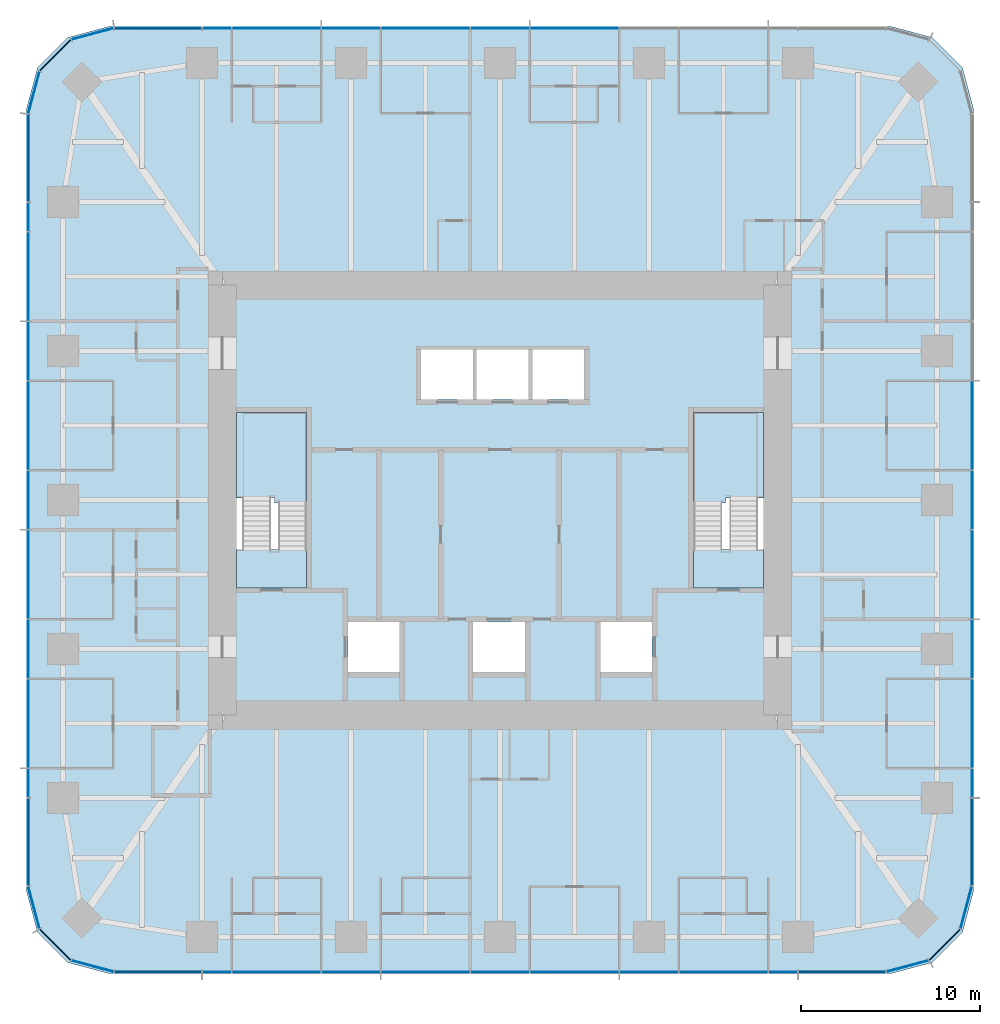
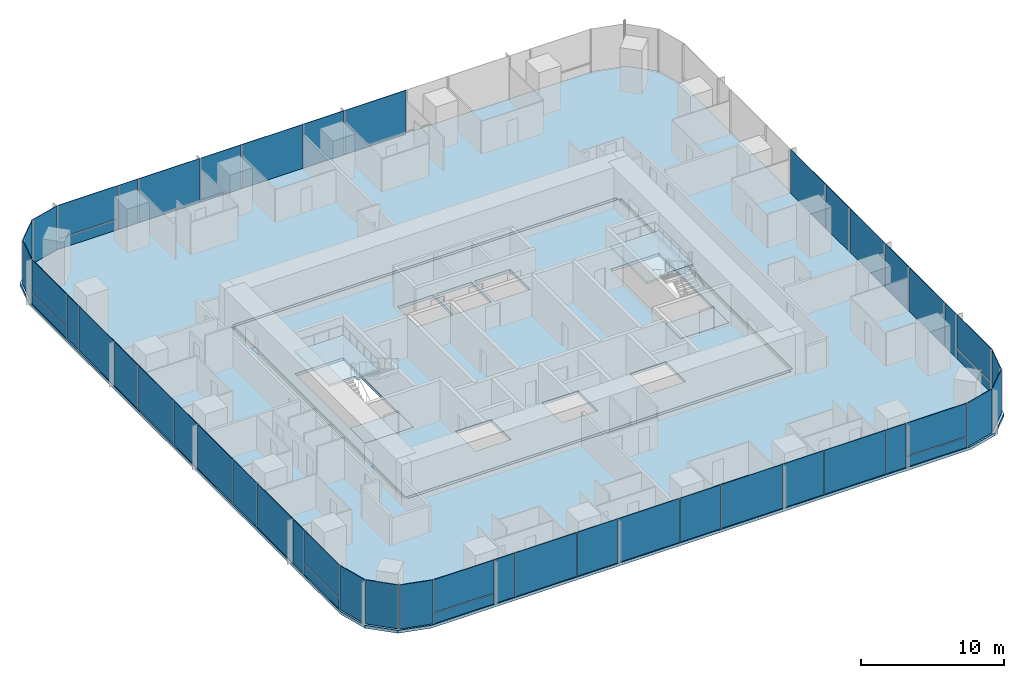
# One storey, part 7 of 12: 51 plates, 6 slabs, 9 elements without a shape of their own.
"""IFC4 building model written with IfcOpenShell, lengths in metres."""

from ifc_helpers import new_model, si_unit, direction, frame, origin, origin_2d, place, context, subcontext, project, spatial, polyline, rectangle, outline, extrude, material, layer, layer_set, type_object, element, aggregate, save


model = new_model("IFC4")

# Units and contexts
model_context = context("Model", 3, precision=1e-05, world=origin(), true_north=direction((0.0, 1.0)))
body_context = subcontext(model_context, "Body", "Model", "MODEL_VIEW")
ifc_project = project(units=[si_unit("LENGTHUNIT", "METRE"), si_unit("AREAUNIT", "SQUARE_METRE"), si_unit("VOLUMEUNIT", "CUBIC_METRE"), si_unit("PLANEANGLEUNIT", "RADIAN"), si_unit("MASSUNIT", "GRAM", prefix="KILO")], contexts=[model_context])

# Site, building, storey
site_placement = place(None, origin())
site = spatial("IfcSite", under=ifc_project, at=site_placement, CompositionType="ELEMENT")
building_placement = place(site_placement, origin())
building = spatial("IfcBuilding", under=site, at=building_placement, Name="Khuree Lantern Residences", CompositionType="ELEMENT")
storey_placement = place(building_placement, frame((0.0, 0.0, 214.5)))
storey = spatial("IfcBuildingStorey", under=building, at=storey_placement, Name="L53", CompositionType="ELEMENT", Elevation=214.5)

# Slab
ifc_material_1 = material(Name="Concrete C35/45", Category="concrete")
ifc_layer_1 = layer(ifc_material_1, 0.25)
ifc_layer_set_1 = layer_set([ifc_layer_1], Name="CFL250 CORE FLOOR SLAB 250")
slab_type_1 = type_object("IfcSlabType", Name="CFL250 CORE FLOOR SLAB 250", PredefinedType="FLOOR", material=ifc_layer_set_1)
slab_1_placement = place(storey_placement, frame((0.0, 0.0, -0.25)))
element("IfcSlab", 1, at=slab_1_placement, inside=storey, type_object=slab_type_1, Name="Core floor L53", PredefinedType="FLOOR", context=body_context, shape_type="SweptSolid", body=[
    extrude(outline(polyline([(-15.5, -12.0), (-15.5, 12.0), (15.5, 12.0), (15.5, -12.0), (-15.5, -12.0)]), holes=[polyline([(10.800048828125, 4.89990234375), (10.800048828125, -4.89990234375), (14.699951171875, -4.89990234375), (14.699951171875, 4.89990234375), (10.800048828125, 4.89990234375)]), polyline([(5.60009765625, -6.800048828125), (5.60009765625, -9.60009765625), (8.5, -9.60009765625), (8.5, -6.800048828125), (5.60009765625, -6.800048828125)]), polyline([(1.800048828125, 8.39990234375), (1.800048828125, 5.60009765625), (4.699951171875, 5.60009765625), (4.699951171875, 8.39990234375), (1.800048828125, 8.39990234375)]), polyline([(-1.300048828125, 8.39990234375), (-1.300048828125, 5.60009765625), (1.60009765625, 5.60009765625), (1.60009765625, 8.39990234375), (-1.300048828125, 8.39990234375)]), polyline([(-1.5, -6.800048828125), (-1.5, -9.60009765625), (1.39990234375, -9.60009765625), (1.39990234375, -6.800048828125), (-1.5, -6.800048828125)]), polyline([(-4.39990234375, 8.39990234375), (-4.39990234375, 5.60009765625), (-1.5, 5.60009765625), (-1.5, 8.39990234375), (-4.39990234375, 8.39990234375)]), polyline([(-8.5, -6.800048828125), (-8.5, -9.60009765625), (-5.60009765625, -9.60009765625), (-5.60009765625, -6.800048828125), (-8.5, -6.800048828125)]), polyline([(-14.699951171875, 4.89990234375), (-14.699951171875, -4.89990234375), (-10.800048828125, -4.89990234375), (-10.800048828125, 4.89990234375), (-14.699951171875, 4.89990234375)])]), origin(), (0.0, 0.0, 1.0), 0.25),
])

# Curtain wall, plates
ifc_material_2 = material(Name="Bronze anodised aluminium", Category="aluminium")
curtain_wall_type_1 = type_object("IfcCurtainWallType", Name="CW-T2 TOWER CORNER CURTAIN WALL", PredefinedType="USERDEFINED", material=ifc_material_2)
curtain_wall_1_placement = place(storey_placement, origin())
curtain_wall_1 = element("IfcCurtainWall", 2, at=curtain_wall_1_placement, inside=storey, type_object=curtain_wall_type_1, Name="L53 SOUTH-EAST CORNER CURTAIN WALL", ObjectType="Faceted corner curtain wall", PredefinedType="USERDEFINED")
ifc_material_3 = material(Name="Bronze tinted triple glazing", Category="glass")
ifc_layer_2 = layer(ifc_material_3, 0.048095703125)
ifc_layer_set_2 = layer_set([ifc_layer_2], Name="FACET PANEL P4")
plate_type_1 = type_object("IfcPlateType", Name="FACET PANEL P4", PredefinedType="CURTAIN_PANEL", material=ifc_layer_set_2)
plate_1_placement = place(storey_placement, frame((22.748046875, -26.029052734375, 0.0), z_axis=(0.0, 0.0, 1.0), x_axis=(0.965925832509, 0.258819021888, 0.0)))
plate_1 = element("IfcPlate", 3, at=plate_1_placement, type_object=plate_type_1, Name="L53 SOUTH-EAST CORNER PANEL 1.1", PredefinedType="CURTAIN_PANEL", context=body_context, shape_type="SweptSolid", body=[
    extrude(rectangle(XDim=2.40869140625, YDim=0.048095703125, at=origin_2d()), origin(), (0.0, 0.0, 1.0), 3.75),
])
plate_2_placement = place(storey_placement, frame((24.828369140625, -24.828369140625, 0.0), z_axis=(0.0, 0.0, 1.0), x_axis=(0.707106781187, 0.707106781187, 0.0)))
plate_2 = element("IfcPlate", 4, at=plate_2_placement, type_object=plate_type_1, Name="L53 SOUTH-EAST CORNER PANEL 2.1", PredefinedType="CURTAIN_PANEL", context=body_context, shape_type="SweptSolid", body=[
    extrude(rectangle(XDim=2.404541015625, YDim=0.048095703125, at=origin_2d()), origin(), (0.0, 0.0, 1.0), 3.75),
])
plate_3_placement = place(storey_placement, frame((26.029052734375, -22.748046875, 0.0), z_axis=(0.0, 0.0, 1.0), x_axis=(0.258819021888, 0.965925832509, 0.0)))
plate_3 = element("IfcPlate", 5, at=plate_3_placement, type_object=plate_type_1, Name="L53 SOUTH-EAST CORNER PANEL 3.1", PredefinedType="CURTAIN_PANEL", context=body_context, shape_type="SweptSolid", body=[
    extrude(rectangle(XDim=2.40869140625, YDim=0.048095703125, at=origin_2d()), origin(), (0.0, 0.0, 1.0), 3.75),
])
aggregate(curtain_wall_1, [plate_1, plate_2, plate_3])

curtain_wall_2_placement = place(storey_placement, origin())
curtain_wall_2 = element("IfcCurtainWall", 6, at=curtain_wall_2_placement, inside=storey, type_object=curtain_wall_type_1, Name="L53 NORTH-WEST CORNER CURTAIN WALL", ObjectType="Faceted corner curtain wall", PredefinedType="USERDEFINED")
plate_4_placement = place(storey_placement, frame((-22.748046875, 26.029052734375, 0.0), z_axis=(0.0, 0.0, 1.0), x_axis=(-0.965925832509, -0.258819021888, 0.0)))
plate_4 = element("IfcPlate", 7, at=plate_4_placement, type_object=plate_type_1, Name="L53 NORTH-WEST CORNER PANEL 29.1", PredefinedType="CURTAIN_PANEL", context=body_context, shape_type="SweptSolid", body=[
    extrude(rectangle(XDim=2.40869140625, YDim=0.048095703125, at=origin_2d()), origin(), (0.0, 0.0, 1.0), 3.75),
])
plate_5_placement = place(storey_placement, frame((-24.828369140625, 24.828369140625, 0.0), z_axis=(0.0, 0.0, 1.0), x_axis=(-0.707106781187, -0.707106781187, 0.0)))
plate_5 = element("IfcPlate", 8, at=plate_5_placement, type_object=plate_type_1, Name="L53 NORTH-WEST CORNER PANEL 30.1", PredefinedType="CURTAIN_PANEL", context=body_context, shape_type="SweptSolid", body=[
    extrude(rectangle(XDim=2.404541015625, YDim=0.048095703125, at=origin_2d()), origin(), (0.0, 0.0, 1.0), 3.75),
])
plate_6_placement = place(storey_placement, frame((-26.029052734375, 22.748046875, 0.0), z_axis=(0.0, 0.0, 1.0), x_axis=(-0.258819021888, -0.965925832509, 0.0)))
plate_6 = element("IfcPlate", 9, at=plate_6_placement, type_object=plate_type_1, Name="L53 NORTH-WEST CORNER PANEL 31.1", PredefinedType="CURTAIN_PANEL", context=body_context, shape_type="SweptSolid", body=[
    extrude(rectangle(XDim=2.40869140625, YDim=0.048095703125, at=origin_2d()), origin(), (0.0, 0.0, 1.0), 3.75),
])
aggregate(curtain_wall_2, [plate_4, plate_5, plate_6])

curtain_wall_3_placement = place(storey_placement, origin())
curtain_wall_3 = element("IfcCurtainWall", 10, at=curtain_wall_3_placement, inside=storey, type_object=curtain_wall_type_1, Name="L53 SOUTH-WEST CORNER CURTAIN WALL", ObjectType="Faceted corner curtain wall", PredefinedType="USERDEFINED")
plate_7_placement = place(storey_placement, frame((-26.029052734375, -22.748046875, 0.0), z_axis=(0.0, 0.0, 1.0), x_axis=(0.258819021888, -0.965925832509, 0.0)))
plate_7 = element("IfcPlate", 11, at=plate_7_placement, type_object=plate_type_1, Name="L53 SOUTH-WEST CORNER PANEL 43.1", PredefinedType="CURTAIN_PANEL", context=body_context, shape_type="SweptSolid", body=[
    extrude(rectangle(XDim=2.40869140625, YDim=0.048095703125, at=origin_2d()), origin(), (0.0, 0.0, 1.0), 3.75),
])
plate_8_placement = place(storey_placement, frame((-24.828369140625, -24.828369140625, 0.0), z_axis=(0.0, 0.0, 1.0), x_axis=(0.707106781187, -0.707106781187, 0.0)))
plate_8 = element("IfcPlate", 12, at=plate_8_placement, type_object=plate_type_1, Name="L53 SOUTH-WEST CORNER PANEL 44.1", PredefinedType="CURTAIN_PANEL", context=body_context, shape_type="SweptSolid", body=[
    extrude(rectangle(XDim=2.404541015625, YDim=0.048095703125, at=origin_2d()), origin(), (0.0, 0.0, 1.0), 3.75),
])
plate_9_placement = place(storey_placement, frame((-22.748046875, -26.029052734375, 0.0), z_axis=(0.0, 0.0, 1.0), x_axis=(0.965925832509, -0.258819021888, 0.0)))
plate_9 = element("IfcPlate", 13, at=plate_9_placement, type_object=plate_type_1, Name="L53 SOUTH-WEST CORNER PANEL 45.1", PredefinedType="CURTAIN_PANEL", context=body_context, shape_type="SweptSolid", body=[
    extrude(rectangle(XDim=2.40869140625, YDim=0.048095703125, at=origin_2d()), origin(), (0.0, 0.0, 1.0), 3.75),
])
aggregate(curtain_wall_3, [plate_7, plate_8, plate_9])

curtain_wall_type_2 = type_object("IfcCurtainWallType", Name="CW-T1 TOWER FACE CURTAIN WALL", PredefinedType="USERDEFINED", material=ifc_material_2)
curtain_wall_4_placement = place(storey_placement, origin())
curtain_wall_4 = element("IfcCurtainWall", 14, at=curtain_wall_4_placement, inside=storey, type_object=curtain_wall_type_2, Name="L53 EAST FACE CURTAIN WALL", ObjectType="Stick-built curtain wall", PredefinedType="USERDEFINED")
ifc_material_4 = material(Name="Bronze tinted triple glazing with a ceramic-fritted spandrel band", Category="glass")
ifc_layer_3 = layer(ifc_material_4, 0.048095703125)
ifc_layer_set_3 = layer_set([ifc_layer_3], Name="FIXED LIGHT PANEL P11")
plate_type_2 = type_object("IfcPlateType", Name="FIXED LIGHT PANEL P11", PredefinedType="CURTAIN_PANEL", material=ifc_layer_set_3)
plate_10_placement = place(storey_placement, frame((26.35009765625, -12.47998046875, 0.0), z_axis=(0.0, 0.0, 1.0), x_axis=(0.0, 1.0, 0.0)))
plate_10 = element("IfcPlate", 15, at=plate_10_placement, type_object=plate_type_2, Name="L53 EAST FACE PANEL 6.1", PredefinedType="CURTAIN_PANEL", context=body_context, shape_type="SweptSolid", body=[
    extrude(rectangle(XDim=4.927001953125, YDim=0.048095703125, at=origin_2d()), origin(), (0.0, 0.0, 1.0), 3.75),
])
plate_11_placement = place(storey_placement, frame((26.35009765625, -4.159912109375, 0.0), z_axis=(0.0, 0.0, 1.0), x_axis=(0.0, 1.0, 0.0)))
plate_11 = element("IfcPlate", 16, at=plate_11_placement, type_object=plate_type_2, Name="L53 EAST FACE PANEL 8.1", PredefinedType="CURTAIN_PANEL", context=body_context, shape_type="SweptSolid", body=[
    extrude(rectangle(XDim=4.927001953125, YDim=0.048095703125, at=origin_2d()), origin(), (0.0, 0.0, 1.0), 3.75),
])
plate_12_placement = place(storey_placement, frame((26.35009765625, 4.159912109375, 0.0), z_axis=(0.0, 0.0, 1.0), x_axis=(0.0, 1.0, 0.0)))
plate_12 = element("IfcPlate", 17, at=plate_12_placement, type_object=plate_type_2, Name="L53 EAST FACE PANEL 10.1", PredefinedType="CURTAIN_PANEL", context=body_context, shape_type="SweptSolid", body=[
    extrude(rectangle(XDim=4.927001953125, YDim=0.048095703125, at=origin_2d()), origin(), (0.0, 0.0, 1.0), 3.75),
])

curtain_wall_5_placement = place(storey_placement, origin())
curtain_wall_5 = element("IfcCurtainWall", 18, at=curtain_wall_5_placement, inside=storey, type_object=curtain_wall_type_2, Name="L53 NORTH FACE CURTAIN WALL", ObjectType="Stick-built curtain wall", PredefinedType="USERDEFINED")
plate_13_placement = place(storey_placement, frame((4.159912109375, 26.35009765625, 0.0), z_axis=(0.0, 0.0, 1.0), x_axis=(-1.0, 0.0, 0.0)))
plate_13 = element("IfcPlate", 19, at=plate_13_placement, type_object=plate_type_2, Name="L53 NORTH FACE PANEL 22.1", PredefinedType="CURTAIN_PANEL", context=body_context, shape_type="SweptSolid", body=[
    extrude(rectangle(XDim=4.927001953125, YDim=0.048095703125, at=origin_2d()), origin(), (0.0, 0.0, 1.0), 3.75),
])
plate_14_placement = place(storey_placement, frame((-4.159912109375, 26.35009765625, 0.0), z_axis=(0.0, 0.0, 1.0), x_axis=(-1.0, 0.0, 0.0)))
plate_14 = element("IfcPlate", 20, at=plate_14_placement, type_object=plate_type_2, Name="L53 NORTH FACE PANEL 24.1", PredefinedType="CURTAIN_PANEL", context=body_context, shape_type="SweptSolid", body=[
    extrude(rectangle(XDim=4.927001953125, YDim=0.048095703125, at=origin_2d()), origin(), (0.0, 0.0, 1.0), 3.75),
])
plate_15_placement = place(storey_placement, frame((-12.47998046875, 26.35009765625, 0.0), z_axis=(0.0, 0.0, 1.0), x_axis=(-1.0, 0.0, 0.0)))
plate_15 = element("IfcPlate", 21, at=plate_15_placement, type_object=plate_type_2, Name="L53 NORTH FACE PANEL 26.1", PredefinedType="CURTAIN_PANEL", context=body_context, shape_type="SweptSolid", body=[
    extrude(rectangle(XDim=4.927001953125, YDim=0.048095703125, at=origin_2d()), origin(), (0.0, 0.0, 1.0), 3.75),
])

curtain_wall_6_placement = place(storey_placement, origin())
curtain_wall_6 = element("IfcCurtainWall", 22, at=curtain_wall_6_placement, inside=storey, type_object=curtain_wall_type_2, Name="L53 WEST FACE CURTAIN WALL", ObjectType="Stick-built curtain wall", PredefinedType="USERDEFINED")
plate_16_placement = place(storey_placement, frame((-26.35009765625, 12.47998046875, 0.0), z_axis=(0.0, 0.0, 1.0), x_axis=(0.0, -1.0, 0.0)))
plate_16 = element("IfcPlate", 23, at=plate_16_placement, type_object=plate_type_2, Name="L53 WEST FACE PANEL 34.1", PredefinedType="CURTAIN_PANEL", context=body_context, shape_type="SweptSolid", body=[
    extrude(rectangle(XDim=4.927001953125, YDim=0.048095703125, at=origin_2d()), origin(), (0.0, 0.0, 1.0), 3.75),
])
plate_17_placement = place(storey_placement, frame((-26.35009765625, 4.159912109375, 0.0), z_axis=(0.0, 0.0, 1.0), x_axis=(0.0, -1.0, 0.0)))
plate_17 = element("IfcPlate", 24, at=plate_17_placement, type_object=plate_type_2, Name="L53 WEST FACE PANEL 36.1", PredefinedType="CURTAIN_PANEL", context=body_context, shape_type="SweptSolid", body=[
    extrude(rectangle(XDim=4.927001953125, YDim=0.048095703125, at=origin_2d()), origin(), (0.0, 0.0, 1.0), 3.75),
])
plate_18_placement = place(storey_placement, frame((-26.35009765625, -4.159912109375, 0.0), z_axis=(0.0, 0.0, 1.0), x_axis=(0.0, -1.0, 0.0)))
plate_18 = element("IfcPlate", 25, at=plate_18_placement, type_object=plate_type_2, Name="L53 WEST FACE PANEL 38.1", PredefinedType="CURTAIN_PANEL", context=body_context, shape_type="SweptSolid", body=[
    extrude(rectangle(XDim=4.927001953125, YDim=0.048095703125, at=origin_2d()), origin(), (0.0, 0.0, 1.0), 3.75),
])
plate_19_placement = place(storey_placement, frame((-26.35009765625, -12.47998046875, 0.0), z_axis=(0.0, 0.0, 1.0), x_axis=(0.0, -1.0, 0.0)))
plate_19 = element("IfcPlate", 26, at=plate_19_placement, type_object=plate_type_2, Name="L53 WEST FACE PANEL 40.1", PredefinedType="CURTAIN_PANEL", context=body_context, shape_type="SweptSolid", body=[
    extrude(rectangle(XDim=4.927001953125, YDim=0.048095703125, at=origin_2d()), origin(), (0.0, 0.0, 1.0), 3.75),
])

curtain_wall_7_placement = place(storey_placement, origin())
curtain_wall_7 = element("IfcCurtainWall", 27, at=curtain_wall_7_placement, inside=storey, type_object=curtain_wall_type_2, Name="L53 SOUTH FACE CURTAIN WALL", ObjectType="Stick-built curtain wall", PredefinedType="USERDEFINED")
plate_20_placement = place(storey_placement, frame((-12.47998046875, -26.35009765625, 0.0), z_axis=(0.0, 0.0, 1.0), x_axis=(1.0, 0.0, 0.0)))
plate_20 = element("IfcPlate", 28, at=plate_20_placement, type_object=plate_type_2, Name="L53 SOUTH FACE PANEL 48.1", PredefinedType="CURTAIN_PANEL", context=body_context, shape_type="SweptSolid", body=[
    extrude(rectangle(XDim=4.927001953125, YDim=0.048095703125, at=origin_2d()), origin(), (0.0, 0.0, 1.0), 3.75),
])
plate_21_placement = place(storey_placement, frame((-4.159912109375, -26.35009765625, 0.0), z_axis=(0.0, 0.0, 1.0), x_axis=(1.0, 0.0, 0.0)))
plate_21 = element("IfcPlate", 29, at=plate_21_placement, type_object=plate_type_2, Name="L53 SOUTH FACE PANEL 50.1", PredefinedType="CURTAIN_PANEL", context=body_context, shape_type="SweptSolid", body=[
    extrude(rectangle(XDim=4.927001953125, YDim=0.048095703125, at=origin_2d()), origin(), (0.0, 0.0, 1.0), 3.75),
])
plate_22_placement = place(storey_placement, frame((4.159912109375, -26.35009765625, 0.0), z_axis=(0.0, 0.0, 1.0), x_axis=(1.0, 0.0, 0.0)))
plate_22 = element("IfcPlate", 30, at=plate_22_placement, type_object=plate_type_2, Name="L53 SOUTH FACE PANEL 52.1", PredefinedType="CURTAIN_PANEL", context=body_context, shape_type="SweptSolid", body=[
    extrude(rectangle(XDim=4.927001953125, YDim=0.048095703125, at=origin_2d()), origin(), (0.0, 0.0, 1.0), 3.75),
])
plate_23_placement = place(storey_placement, frame((12.47998046875, -26.35009765625, 0.0), z_axis=(0.0, 0.0, 1.0), x_axis=(1.0, 0.0, 0.0)))
plate_23 = element("IfcPlate", 31, at=plate_23_placement, type_object=plate_type_2, Name="L53 SOUTH FACE PANEL 54.1", PredefinedType="CURTAIN_PANEL", context=body_context, shape_type="SweptSolid", body=[
    extrude(rectangle(XDim=4.927001953125, YDim=0.048095703125, at=origin_2d()), origin(), (0.0, 0.0, 1.0), 3.75),
])

# Slab
ifc_layer_4 = layer(ifc_material_1, 0.25)
ifc_layer_set_4 = layer_set([ifc_layer_4], Name="FS250 FLOOR SLAB 250")
slab_type_2 = type_object("IfcSlabType", Name="FS250 FLOOR SLAB 250", PredefinedType="FLOOR", material=ifc_layer_set_4)
slab_2_placement = place(storey_placement, frame((0.0, 0.0, -0.25)))
element("IfcSlab", 32, at=slab_2_placement, inside=storey, type_object=slab_type_2, Name="Floor slab L53", PredefinedType="FLOOR", context=body_context, shape_type="SweptSolid", body=[
    extrude(outline(polyline([(-24.125, -25.826904296875), (-25.826904296875, -24.125), (-26.449951171875, -21.800048828125), (-26.449951171875, 21.800048828125), (-25.826904296875, 24.125), (-24.125, 25.826904296875), (-21.800048828125, 26.449951171875), (21.800048828125, 26.449951171875), (24.125, 25.826904296875), (25.826904296875, 24.125), (26.449951171875, 21.800048828125), (26.449951171875, -21.800048828125), (25.826904296875, -24.125), (24.125, -25.826904296875), (21.800048828125, -26.449951171875), (-21.800048828125, -26.449951171875), (-24.125, -25.826904296875)]), holes=[polyline([(15.75, 12.0), (15.5, 12.0), (15.5, 12.25), (-15.5, 12.25), (-15.5, 12.0), (-15.75, 12.0), (-15.75, -12.0), (-15.5, -12.0), (-15.5, -12.25), (15.5, -12.25), (15.5, -12.0), (15.75, -12.0), (15.75, 12.0)])]), origin(), (0.0, 0.0, 1.0), 0.25),
])

# Plate
ifc_material_5 = material(Name="Bronze tinted triple glazing, two aluminium-framed sashes in one frame", Category="aluminium")
ifc_layer_5 = layer(ifc_material_5, 0.048095703125)
ifc_layer_set_5 = layer_set([ifc_layer_5], Name="SASH PAIR PANEL P12")
plate_type_3 = type_object("IfcPlateType", Name="SASH PAIR PANEL P12", PredefinedType="CURTAIN_PANEL", material=ifc_layer_set_5)
plate_24_placement = place(storey_placement, frame((26.35009765625, -8.320068359375, 0.0), z_axis=(0.0, 0.0, 1.0), x_axis=(0.0, 1.0, 0.0)))
plate_24 = element("IfcPlate", 33, at=plate_24_placement, type_object=plate_type_3, Name="L53 EAST FACE PANEL 7.1", PredefinedType="CURTAIN_PANEL", context=body_context, shape_type="SweptSolid", body=[
    extrude(rectangle(XDim=3.262939453125, YDim=0.048095703125, at=origin_2d()), origin(), (0.0, 0.0, 1.0), 3.75),
])

plate_25_placement = place(storey_placement, frame((26.35009765625, 0.0, 0.0), z_axis=(0.0, 0.0, 1.0), x_axis=(0.0, 1.0, 0.0)))
plate_25 = element("IfcPlate", 34, at=plate_25_placement, type_object=plate_type_3, Name="L53 EAST FACE PANEL 9.1", PredefinedType="CURTAIN_PANEL", context=body_context, shape_type="SweptSolid", body=[
    extrude(rectangle(XDim=3.262939453125, YDim=0.048095703125, at=origin_2d()), origin(), (0.0, 0.0, 1.0), 3.75),
])

plate_26_placement = place(storey_placement, frame((0.0, 26.35009765625, 0.0), z_axis=(0.0, 0.0, 1.0), x_axis=(-1.0, 0.0, 0.0)))
plate_26 = element("IfcPlate", 35, at=plate_26_placement, type_object=plate_type_3, Name="L53 NORTH FACE PANEL 23.1", PredefinedType="CURTAIN_PANEL", context=body_context, shape_type="SweptSolid", body=[
    extrude(rectangle(XDim=3.262939453125, YDim=0.048095703125, at=origin_2d()), origin(), (0.0, 0.0, 1.0), 3.75),
])

plate_27_placement = place(storey_placement, frame((-8.320068359375, 26.35009765625, 0.0), z_axis=(0.0, 0.0, 1.0), x_axis=(-1.0, 0.0, 0.0)))
plate_27 = element("IfcPlate", 36, at=plate_27_placement, type_object=plate_type_3, Name="L53 NORTH FACE PANEL 25.1", PredefinedType="CURTAIN_PANEL", context=body_context, shape_type="SweptSolid", body=[
    extrude(rectangle(XDim=3.262939453125, YDim=0.048095703125, at=origin_2d()), origin(), (0.0, 0.0, 1.0), 3.75),
])

plate_28_placement = place(storey_placement, frame((-26.35009765625, 8.320068359375, 0.0), z_axis=(0.0, 0.0, 1.0), x_axis=(0.0, -1.0, 0.0)))
plate_28 = element("IfcPlate", 37, at=plate_28_placement, type_object=plate_type_3, Name="L53 WEST FACE PANEL 35.1", PredefinedType="CURTAIN_PANEL", context=body_context, shape_type="SweptSolid", body=[
    extrude(rectangle(XDim=3.262939453125, YDim=0.048095703125, at=origin_2d()), origin(), (0.0, 0.0, 1.0), 3.75),
])

plate_29_placement = place(storey_placement, frame((-26.35009765625, 0.0, 0.0), z_axis=(0.0, 0.0, 1.0), x_axis=(0.0, -1.0, 0.0)))
plate_29 = element("IfcPlate", 38, at=plate_29_placement, type_object=plate_type_3, Name="L53 WEST FACE PANEL 37.1", PredefinedType="CURTAIN_PANEL", context=body_context, shape_type="SweptSolid", body=[
    extrude(rectangle(XDim=3.262939453125, YDim=0.048095703125, at=origin_2d()), origin(), (0.0, 0.0, 1.0), 3.75),
])

plate_30_placement = place(storey_placement, frame((-26.35009765625, -8.320068359375, 0.0), z_axis=(0.0, 0.0, 1.0), x_axis=(0.0, -1.0, 0.0)))
plate_30 = element("IfcPlate", 39, at=plate_30_placement, type_object=plate_type_3, Name="L53 WEST FACE PANEL 39.1", PredefinedType="CURTAIN_PANEL", context=body_context, shape_type="SweptSolid", body=[
    extrude(rectangle(XDim=3.262939453125, YDim=0.048095703125, at=origin_2d()), origin(), (0.0, 0.0, 1.0), 3.75),
])

plate_31_placement = place(storey_placement, frame((-8.320068359375, -26.35009765625, 0.0), z_axis=(0.0, 0.0, 1.0), x_axis=(1.0, 0.0, 0.0)))
plate_31 = element("IfcPlate", 40, at=plate_31_placement, type_object=plate_type_3, Name="L53 SOUTH FACE PANEL 49.1", PredefinedType="CURTAIN_PANEL", context=body_context, shape_type="SweptSolid", body=[
    extrude(rectangle(XDim=3.262939453125, YDim=0.048095703125, at=origin_2d()), origin(), (0.0, 0.0, 1.0), 3.75),
])

plate_32_placement = place(storey_placement, frame((0.0, -26.35009765625, 0.0), z_axis=(0.0, 0.0, 1.0), x_axis=(1.0, 0.0, 0.0)))
plate_32 = element("IfcPlate", 41, at=plate_32_placement, type_object=plate_type_3, Name="L53 SOUTH FACE PANEL 51.1", PredefinedType="CURTAIN_PANEL", context=body_context, shape_type="SweptSolid", body=[
    extrude(rectangle(XDim=3.262939453125, YDim=0.048095703125, at=origin_2d()), origin(), (0.0, 0.0, 1.0), 3.75),
])

plate_33_placement = place(storey_placement, frame((8.320068359375, -26.35009765625, 0.0), z_axis=(0.0, 0.0, 1.0), x_axis=(1.0, 0.0, 0.0)))
plate_33 = element("IfcPlate", 42, at=plate_33_placement, type_object=plate_type_3, Name="L53 SOUTH FACE PANEL 53.1", PredefinedType="CURTAIN_PANEL", context=body_context, shape_type="SweptSolid", body=[
    extrude(rectangle(XDim=3.262939453125, YDim=0.048095703125, at=origin_2d()), origin(), (0.0, 0.0, 1.0), 3.75),
])

ifc_material_6 = material(Name="Bronze tinted triple glazing, aluminium-framed sash", Category="aluminium")
ifc_layer_6 = layer(ifc_material_6, 0.048095703125)
ifc_layer_set_6 = layer_set([ifc_layer_6], Name="SASH PANEL P3")
plate_type_4 = type_object("IfcPlateType", Name="SASH PANEL P3", PredefinedType="CURTAIN_PANEL", material=ifc_layer_set_6)
plate_34_placement = place(storey_placement, frame((26.35009765625, -15.80810546875, 0.0), z_axis=(0.0, 0.0, 1.0), x_axis=(0.0, 1.0, 0.0)))
plate_34 = element("IfcPlate", 43, at=plate_34_placement, type_object=plate_type_4, Name="L53 EAST FACE PANEL 5.1", PredefinedType="CURTAIN_PANEL", context=body_context, shape_type="SweptSolid", body=[
    extrude(rectangle(XDim=1.59912109375, YDim=0.048095703125, at=origin_2d()), origin(), (0.0, 0.0, 1.0), 3.75),
])

plate_35_placement = place(storey_placement, frame((-15.80810546875, 26.35009765625, 0.0), z_axis=(0.0, 0.0, 1.0), x_axis=(-1.0, 0.0, 0.0)))
plate_35 = element("IfcPlate", 44, at=plate_35_placement, type_object=plate_type_4, Name="L53 NORTH FACE PANEL 27.1", PredefinedType="CURTAIN_PANEL", context=body_context, shape_type="SweptSolid", body=[
    extrude(rectangle(XDim=1.59912109375, YDim=0.048095703125, at=origin_2d()), origin(), (0.0, 0.0, 1.0), 3.75),
])

plate_36_placement = place(storey_placement, frame((-26.35009765625, 15.80810546875, 0.0), z_axis=(0.0, 0.0, 1.0), x_axis=(0.0, -1.0, 0.0)))
plate_36 = element("IfcPlate", 45, at=plate_36_placement, type_object=plate_type_4, Name="L53 WEST FACE PANEL 33.1", PredefinedType="CURTAIN_PANEL", context=body_context, shape_type="SweptSolid", body=[
    extrude(rectangle(XDim=1.59912109375, YDim=0.048095703125, at=origin_2d()), origin(), (0.0, 0.0, 1.0), 3.75),
])

plate_37_placement = place(storey_placement, frame((-26.35009765625, -15.80810546875, 0.0), z_axis=(0.0, 0.0, 1.0), x_axis=(0.0, -1.0, 0.0)))
plate_37 = element("IfcPlate", 46, at=plate_37_placement, type_object=plate_type_4, Name="L53 WEST FACE PANEL 41.1", PredefinedType="CURTAIN_PANEL", context=body_context, shape_type="SweptSolid", body=[
    extrude(rectangle(XDim=1.59912109375, YDim=0.048095703125, at=origin_2d()), origin(), (0.0, 0.0, 1.0), 3.75),
])

plate_38_placement = place(storey_placement, frame((-15.80810546875, -26.35009765625, 0.0), z_axis=(0.0, 0.0, 1.0), x_axis=(1.0, 0.0, 0.0)))
plate_38 = element("IfcPlate", 47, at=plate_38_placement, type_object=plate_type_4, Name="L53 SOUTH FACE PANEL 47.1", PredefinedType="CURTAIN_PANEL", context=body_context, shape_type="SweptSolid", body=[
    extrude(rectangle(XDim=1.59912109375, YDim=0.048095703125, at=origin_2d()), origin(), (0.0, 0.0, 1.0), 3.75),
])

plate_39_placement = place(storey_placement, frame((15.80810546875, -26.35009765625, 0.0), z_axis=(0.0, 0.0, 1.0), x_axis=(1.0, 0.0, 0.0)))
plate_39 = element("IfcPlate", 48, at=plate_39_placement, type_object=plate_type_4, Name="L53 SOUTH FACE PANEL 55.1", PredefinedType="CURTAIN_PANEL", context=body_context, shape_type="SweptSolid", body=[
    extrude(rectangle(XDim=1.59912109375, YDim=0.048095703125, at=origin_2d()), origin(), (0.0, 0.0, 1.0), 3.75),
])

ifc_material_7 = material(Name="Bronze anodised aluminium insulated spandrel", Category="aluminium")
ifc_layer_7 = layer(ifc_material_7, 0.06005859375)
ifc_layer_set_7 = layer_set([ifc_layer_7], Name="SPANDREL PANEL P2")
plate_type_5 = type_object("IfcPlateType", Name="SPANDREL PANEL P2", PredefinedType="CURTAIN_PANEL", material=ifc_layer_set_7)
plate_40_placement = place(storey_placement, frame((26.35009765625, -19.0927734375, 0.0), z_axis=(0.0, 0.0, 1.0), x_axis=(0.0, 1.0, 0.0)))
plate_40 = element("IfcPlate", 49, at=plate_40_placement, type_object=plate_type_5, Name="L53 EAST FACE PANEL 4.1", PredefinedType="CURTAIN_PANEL", context=body_context, shape_type="SweptSolid", body=[
    extrude(rectangle(XDim=4.8408203125, YDim=0.06005859375, at=origin_2d()), origin(), (0.0, 0.0, 1.0), 0.867431640625),
])

plate_41_placement = place(storey_placement, frame((-19.0927734375, 26.35009765625, 0.0), z_axis=(0.0, 0.0, 1.0), x_axis=(-1.0, 0.0, 0.0)))
plate_41 = element("IfcPlate", 50, at=plate_41_placement, type_object=plate_type_5, Name="L53 NORTH FACE PANEL 28.1", PredefinedType="CURTAIN_PANEL", context=body_context, shape_type="SweptSolid", body=[
    extrude(rectangle(XDim=4.8408203125, YDim=0.06005859375, at=origin_2d()), origin(), (0.0, 0.0, 1.0), 0.867431640625),
])

plate_42_placement = place(storey_placement, frame((-26.35009765625, 19.0927734375, 0.0), z_axis=(0.0, 0.0, 1.0), x_axis=(0.0, -1.0, 0.0)))
plate_42 = element("IfcPlate", 51, at=plate_42_placement, type_object=plate_type_5, Name="L53 WEST FACE PANEL 32.1", PredefinedType="CURTAIN_PANEL", context=body_context, shape_type="SweptSolid", body=[
    extrude(rectangle(XDim=4.8408203125, YDim=0.06005859375, at=origin_2d()), origin(), (0.0, 0.0, 1.0), 0.867431640625),
])

plate_43_placement = place(storey_placement, frame((-26.35009765625, -19.0927734375, 0.0), z_axis=(0.0, 0.0, 1.0), x_axis=(0.0, -1.0, 0.0)))
plate_43 = element("IfcPlate", 52, at=plate_43_placement, type_object=plate_type_5, Name="L53 WEST FACE PANEL 42.1", PredefinedType="CURTAIN_PANEL", context=body_context, shape_type="SweptSolid", body=[
    extrude(rectangle(XDim=4.8408203125, YDim=0.06005859375, at=origin_2d()), origin(), (0.0, 0.0, 1.0), 0.867431640625),
])

plate_44_placement = place(storey_placement, frame((-19.0927734375, -26.35009765625, 0.0), z_axis=(0.0, 0.0, 1.0), x_axis=(1.0, 0.0, 0.0)))
plate_44 = element("IfcPlate", 53, at=plate_44_placement, type_object=plate_type_5, Name="L53 SOUTH FACE PANEL 46.1", PredefinedType="CURTAIN_PANEL", context=body_context, shape_type="SweptSolid", body=[
    extrude(rectangle(XDim=4.8408203125, YDim=0.06005859375, at=origin_2d()), origin(), (0.0, 0.0, 1.0), 0.867431640625),
])

plate_45_placement = place(storey_placement, frame((19.0927734375, -26.35009765625, 0.0), z_axis=(0.0, 0.0, 1.0), x_axis=(1.0, 0.0, 0.0)))
plate_45 = element("IfcPlate", 54, at=plate_45_placement, type_object=plate_type_5, Name="L53 SOUTH FACE PANEL 56.1", PredefinedType="CURTAIN_PANEL", context=body_context, shape_type="SweptSolid", body=[
    extrude(rectangle(XDim=4.8408203125, YDim=0.06005859375, at=origin_2d()), origin(), (0.0, 0.0, 1.0), 0.867431640625),
])

# Stair, slabs
ifc_material_8 = material(Name="Concrete C40/50", Category="concrete")
stair_type = type_object("IfcStairType", Name="STAIR ST1 HALF TURN 3600", PredefinedType="HALF_TURN_STAIR", material=ifc_material_8)
stair_1_placement = place(storey_placement, origin())
stair_1 = element("IfcStair", 55, at=stair_1_placement, inside=storey, type_object=stair_type, Name="Stair ST1", PredefinedType="HALF_TURN_STAIR")
ifc_layer_8 = layer(ifc_material_8, 0.199951171875)
ifc_layer_set_8 = layer_set([ifc_layer_8], Name="STAIR LANDING SL1 200")
slab_type_3 = type_object("IfcSlabType", Name="STAIR LANDING SL1 200", PredefinedType="LANDING", material=ifc_layer_set_8)
slab_3_placement = place(storey_placement, frame((0.0, 0.0, -0.199951171875)))
slab_3 = element("IfcSlab", 56, at=slab_3_placement, type_object=slab_type_3, Name="ST1 landing 1", PredefinedType="LANDING", context=body_context, shape_type="SweptSolid", body=[
    extrude(outline(polyline([(-14.699951171875, -4.89990234375), (-10.800048828125, -4.89990234375), (-10.800048828125, -2.760009765625), (-14.699951171875, -2.760009765625), (-14.699951171875, -4.89990234375)])), origin(), (0.0, 0.0, 1.0), 0.199951171875),
])
slab_4_placement = place(storey_placement, frame((0.0, 0.0, 1.756591796875)))
slab_4 = element("IfcSlab", 57, at=slab_4_placement, type_object=slab_type_3, Name="ST1 landing 2", PredefinedType="LANDING", context=body_context, shape_type="SweptSolid", body=[
    extrude(outline(polyline([(-14.699951171875, 0.1201171875), (-14.699951171875, 4.89990234375), (-10.800048828125, 4.89990234375), (-10.800048828125, -0.159912109375), (-12.60009765625, -0.159912109375), (-12.60009765625, 0.1201171875), (-14.699951171875, 0.1201171875)])), origin(), (0.0, 0.0, 1.0), 0.199951171875),
])
aggregate(stair_1, [slab_3, slab_4])

stair_2_placement = place(storey_placement, origin())
stair_2 = element("IfcStair", 58, at=stair_2_placement, inside=storey, type_object=stair_type, Name="Stair ST2", PredefinedType="HALF_TURN_STAIR")
slab_5_placement = place(storey_placement, frame((0.0, 0.0, -0.199951171875)))
slab_5 = element("IfcSlab", 59, at=slab_5_placement, type_object=slab_type_3, Name="ST2 landing 1", PredefinedType="LANDING", context=body_context, shape_type="SweptSolid", body=[
    extrude(outline(polyline([(10.800048828125, -4.89990234375), (14.699951171875, -4.89990234375), (14.699951171875, -2.760009765625), (10.800048828125, -2.760009765625), (10.800048828125, -4.89990234375)])), origin(), (0.0, 0.0, 1.0), 0.199951171875),
])
slab_6_placement = place(storey_placement, frame((0.0, 0.0, 1.756591796875)))
slab_6 = element("IfcSlab", 60, at=slab_6_placement, type_object=slab_type_3, Name="ST2 landing 2", PredefinedType="LANDING", context=body_context, shape_type="SweptSolid", body=[
    extrude(outline(polyline([(14.699951171875, 4.89990234375), (14.699951171875, 0.1201171875), (12.60009765625, 0.1201171875), (12.60009765625, -0.159912109375), (10.800048828125, -0.159912109375), (10.800048828125, 4.89990234375), (14.699951171875, 4.89990234375)])), origin(), (0.0, 0.0, 1.0), 0.199951171875),
])
aggregate(stair_2, [slab_5, slab_6])

# Plate
ifc_layer_9 = layer(ifc_material_3, 0.048095703125)
ifc_layer_set_9 = layer_set([ifc_layer_9], Name="VISION PANEL P1")
plate_type_6 = type_object("IfcPlateType", Name="VISION PANEL P1", PredefinedType="CURTAIN_PANEL", material=ifc_layer_set_9)
plate_46_placement = place(storey_placement, frame((26.35009765625, -19.09326171875, 0.9326171875), z_axis=(0.0, 0.0, 1.0), x_axis=(0.0, 1.0, 0.0)))
plate_46 = element("IfcPlate", 61, at=plate_46_placement, type_object=plate_type_6, Name="L53 EAST FACE PANEL 4.2", PredefinedType="CURTAIN_PANEL", context=body_context, shape_type="SweptSolid", body=[
    extrude(rectangle(XDim=4.841552734375, YDim=0.048095703125, at=origin_2d()), origin(), (0.0, 0.0, 1.0), 2.8173828125),
])

aggregate(curtain_wall_4, [plate_40, plate_46, plate_34, plate_10, plate_24, plate_11, plate_25, plate_12])

plate_47_placement = place(storey_placement, frame((-19.09326171875, 26.35009765625, 0.9326171875), z_axis=(0.0, 0.0, 1.0), x_axis=(-1.0, 0.0, 0.0)))
plate_47 = element("IfcPlate", 62, at=plate_47_placement, type_object=plate_type_6, Name="L53 NORTH FACE PANEL 28.2", PredefinedType="CURTAIN_PANEL", context=body_context, shape_type="SweptSolid", body=[
    extrude(rectangle(XDim=4.841552734375, YDim=0.048095703125, at=origin_2d()), origin(), (0.0, 0.0, 1.0), 2.8173828125),
])

aggregate(curtain_wall_5, [plate_13, plate_26, plate_14, plate_27, plate_15, plate_35, plate_41, plate_47])

plate_48_placement = place(storey_placement, frame((-26.35009765625, 19.09326171875, 0.9326171875), z_axis=(0.0, 0.0, 1.0), x_axis=(0.0, -1.0, 0.0)))
plate_48 = element("IfcPlate", 63, at=plate_48_placement, type_object=plate_type_6, Name="L53 WEST FACE PANEL 32.2", PredefinedType="CURTAIN_PANEL", context=body_context, shape_type="SweptSolid", body=[
    extrude(rectangle(XDim=4.841552734375, YDim=0.048095703125, at=origin_2d()), origin(), (0.0, 0.0, 1.0), 2.8173828125),
])

plate_49_placement = place(storey_placement, frame((-26.35009765625, -19.09326171875, 0.9326171875), z_axis=(0.0, 0.0, 1.0), x_axis=(0.0, -1.0, 0.0)))
plate_49 = element("IfcPlate", 64, at=plate_49_placement, type_object=plate_type_6, Name="L53 WEST FACE PANEL 42.2", PredefinedType="CURTAIN_PANEL", context=body_context, shape_type="SweptSolid", body=[
    extrude(rectangle(XDim=4.841552734375, YDim=0.048095703125, at=origin_2d()), origin(), (0.0, 0.0, 1.0), 2.8173828125),
])

aggregate(curtain_wall_6, [plate_42, plate_48, plate_36, plate_16, plate_28, plate_17, plate_29, plate_18, plate_30, plate_19, plate_37, plate_43, plate_49])

plate_50_placement = place(storey_placement, frame((-19.09326171875, -26.35009765625, 0.9326171875), z_axis=(0.0, 0.0, 1.0), x_axis=(1.0, 0.0, 0.0)))
plate_50 = element("IfcPlate", 65, at=plate_50_placement, type_object=plate_type_6, Name="L53 SOUTH FACE PANEL 46.2", PredefinedType="CURTAIN_PANEL", context=body_context, shape_type="SweptSolid", body=[
    extrude(rectangle(XDim=4.841552734375, YDim=0.048095703125, at=origin_2d()), origin(), (0.0, 0.0, 1.0), 2.8173828125),
])

plate_51_placement = place(storey_placement, frame((19.09326171875, -26.35009765625, 0.9326171875), z_axis=(0.0, 0.0, 1.0), x_axis=(1.0, 0.0, 0.0)))
plate_51 = element("IfcPlate", 66, at=plate_51_placement, type_object=plate_type_6, Name="L53 SOUTH FACE PANEL 56.2", PredefinedType="CURTAIN_PANEL", context=body_context, shape_type="SweptSolid", body=[
    extrude(rectangle(XDim=4.841552734375, YDim=0.048095703125, at=origin_2d()), origin(), (0.0, 0.0, 1.0), 2.8173828125),
])

aggregate(curtain_wall_7, [plate_44, plate_50, plate_38, plate_20, plate_31, plate_21, plate_32, plate_22, plate_33, plate_23, plate_39, plate_45, plate_51])

save(model, "model.ifc")
